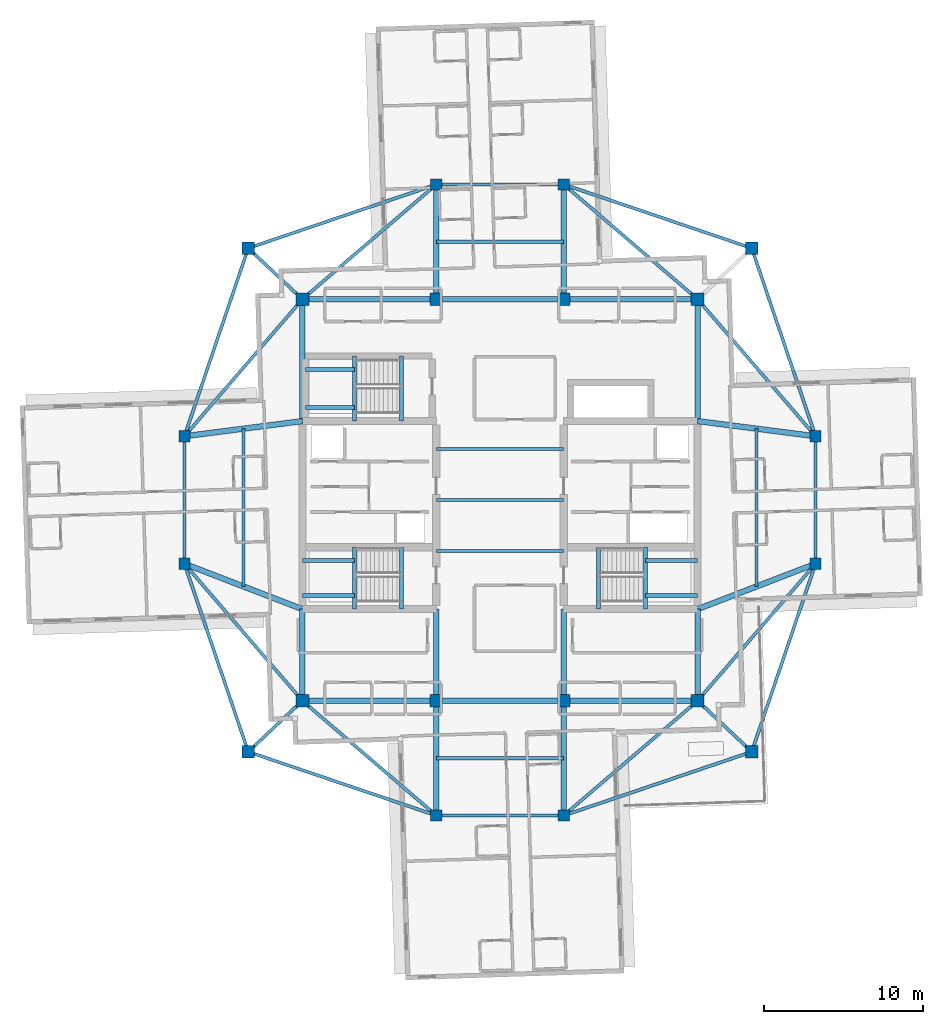
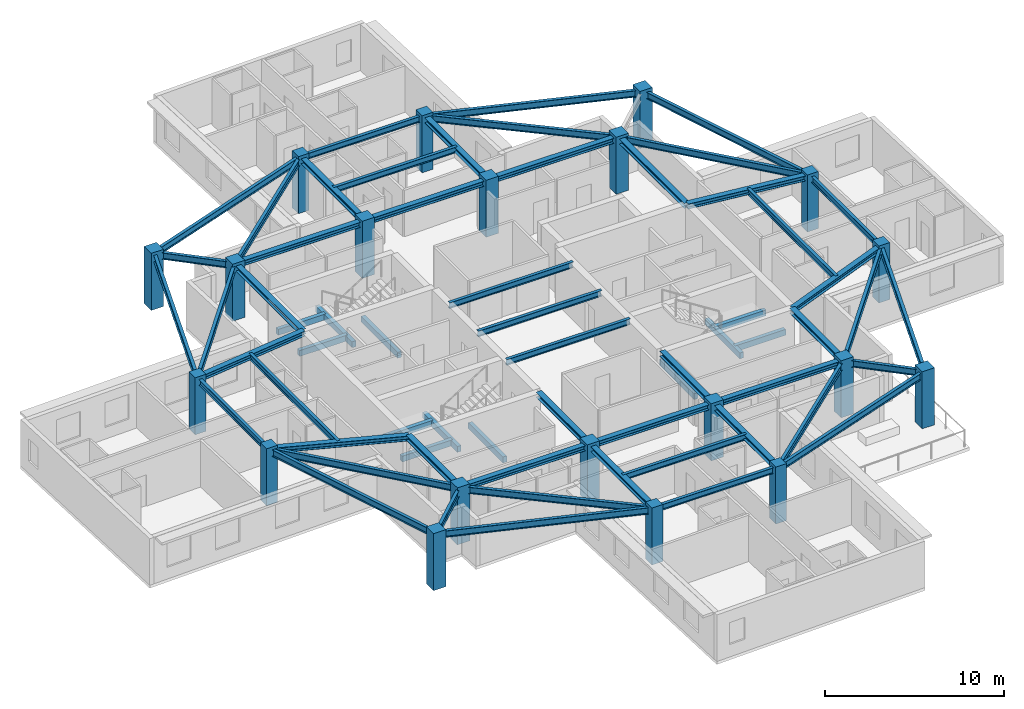
# One storey, part 1 of 13: 62 beams, 20 columns.
"""IFC4 building model written with IfcOpenShell, lengths in metres."""

from ifc_helpers import new_model, si_unit, direction, frame, origin, origin_2d, place, context, subcontext, project, spatial, rectangle, i_section, extrude, material, material_profile, profile_set, type_object, element, save


model = new_model("IFC4")

# Units and contexts
model_context = context("Model", 3, precision=1e-05, world=origin(), true_north=direction((0.0, 1.0)))
body_context = subcontext(model_context, "Body", "Model", "MODEL_VIEW")
ifc_project = project(units=[si_unit("LENGTHUNIT", "METRE"), si_unit("AREAUNIT", "SQUARE_METRE"), si_unit("VOLUMEUNIT", "CUBIC_METRE"), si_unit("PLANEANGLEUNIT", "RADIAN"), si_unit("MASSUNIT", "GRAM", prefix="KILO")], contexts=[model_context])

# Site, building, storey
site_placement = place(None, origin())
site = spatial("IfcSite", under=ifc_project, at=site_placement, CompositionType="ELEMENT")
building_placement = place(site_placement, origin())
building = spatial("IfcBuilding", under=site, at=building_placement, Name="Qingluan Cross Belvedere", CompositionType="ELEMENT")
storey_placement = place(building_placement, frame((0.0, 0.0, 273.300048828125)))
storey = spatial("IfcBuildingStorey", under=building, at=storey_placement, Name="L68", CompositionType="ELEMENT", Elevation=273.300048828125)

# Columns
ifc_material_1 = material(Name="Concrete C50", Category="concrete")
ifc_material_profile_1 = material_profile(ifc_material_1, rectangle(XDim=0.699951171875, YDim=0.699951171875, at=origin_2d()), Name="RC700x700")
ifc_profile_set_1 = profile_set([ifc_material_profile_1], Name="Concrete C50")
column_type_1 = type_object("IfcColumnType", Name="Column_RC700x700", PredefinedType="COLUMN", material=ifc_profile_set_1)
for number, where, z_axis, x_axis, name in (
    (1, (19.800048828125, -4.0, 0.0), (0.0, 0.0, 1.0), (1.0, 0.0, 0.0), "Arm column L68-EIA"),
    (2, (19.800048828125, 4.0, 0.0), (0.0, 0.0, 1.0), (1.0, 0.0, 0.0), "Arm column L68-EIB"),
    (3, (-19.800048828125, -4.0, 0.0), (0.0, 0.0, 1.0), (1.0, 0.0, 0.0), "Arm column L68-WIA"),
    (4, (-19.800048828125, 4.0, 0.0), (0.0, 0.0, 1.0), (1.0, 0.0, 0.0), "Arm column L68-WIB"),
    (5, (-4.0, -19.800048828125, 0.0), (0.0, 0.0, 1.0), (1.0, 0.0, 0.0), "Arm column L68-SIA"),
    (6, (4.0, -19.800048828125, 0.0), (0.0, 0.0, 1.0), (1.0, 0.0, 0.0), "Arm column L68-SIB"),
    (7, (-4.0, 19.800048828125, 0.0), (0.0, 0.0, 1.0), (1.0, 0.0, 0.0), "Arm column L68-NIA"),
    (8, (4.0, 19.800048828125, 0.0), (0.0, 0.0, 1.0), (1.0, 0.0, 0.0), "Arm column L68-NIB"),
):
    element("IfcColumn", number, at=place(storey_placement, frame(where, z_axis=z_axis, x_axis=x_axis)), inside=storey, type_object=column_type_1, Name=name, PredefinedType="COLUMN", context=body_context, shape_type="SweptSolid", body=[
        extrude(rectangle(XDim=0.699951171875, YDim=0.699951171875, at=origin_2d()), origin(), (0.0, 0.0, 1.0), 3.89990234375),
    ])
ifc_material_2 = material(Name="Concrete C50", Category="concrete")
ifc_material_profile_2 = material_profile(ifc_material_2, rectangle(XDim=0.800048828125, YDim=0.800048828125, at=origin_2d()), Name="RC800x800")
ifc_profile_set_2 = profile_set([ifc_material_profile_2], Name="Concrete C50")
column_type_2 = type_object("IfcColumnType", Name="Column_RC800x800", PredefinedType="COLUMN", material=ifc_profile_set_2)
for number, where, z_axis, x_axis, name in (
    (9, (15.800048828125, 15.800048828125, 0.0), (0.0, 0.0, 1.0), (1.0, 0.0, 0.0), "Corner column L68-RNE"),
    (10, (-15.800048828125, 15.800048828125, 0.0), (0.0, 0.0, 1.0), (1.0, 0.0, 0.0), "Corner column L68-RNW"),
    (11, (-15.800048828125, -15.800048828125, 0.0), (0.0, 0.0, 1.0), (1.0, 0.0, 0.0), "Corner column L68-RSW"),
    (12, (15.800048828125, -15.800048828125, 0.0), (0.0, 0.0, 1.0), (1.0, 0.0, 0.0), "Corner column L68-RSE"),
    (13, (-12.39990234375, -12.60009765625, 0.0), (0.0, 0.0, 1.0), (1.0, 0.0, 0.0), "Hub column L68-HC1"),
    (14, (12.39990234375, -12.60009765625, 0.0), (0.0, 0.0, 1.0), (1.0, 0.0, 0.0), "Hub column L68-HC2"),
    (15, (12.39990234375, 12.60009765625, 0.0), (0.0, 0.0, 1.0), (1.0, 0.0, 0.0), "Hub column L68-HC3"),
    (16, (-12.39990234375, 12.60009765625, 0.0), (0.0, 0.0, 1.0), (1.0, 0.0, 0.0), "Hub column L68-HC4"),
    (17, (-4.0, -12.60009765625, 0.0), (0.0, 0.0, 1.0), (1.0, 0.0, 0.0), "Hub column L68-HC5"),
    (18, (4.0, -12.60009765625, 0.0), (0.0, 0.0, 1.0), (1.0, 0.0, 0.0), "Hub column L68-HC6"),
    (19, (4.0, 12.60009765625, 0.0), (0.0, 0.0, 1.0), (1.0, 0.0, 0.0), "Hub column L68-HC7"),
    (20, (-4.0, 12.60009765625, 0.0), (0.0, 0.0, 1.0), (1.0, 0.0, 0.0), "Hub column L68-HC8"),
):
    element("IfcColumn", number, at=place(storey_placement, frame(where, z_axis=z_axis, x_axis=x_axis)), inside=storey, type_object=column_type_2, Name=name, PredefinedType="COLUMN", context=body_context, shape_type="SweptSolid", body=[
        extrude(rectangle(XDim=0.800048828125, YDim=0.800048828125, at=origin_2d()), origin(), (0.0, 0.0, 1.0), 3.89990234375),
    ])

# Beams
ifc_material_3 = material(Name="Concrete C45", Category="concrete")
ifc_material_profile_3 = material_profile(ifc_material_3, rectangle(XDim=0.25, YDim=0.39990234375, at=origin_2d()), Name="RC250x400")
ifc_profile_set_3 = profile_set([ifc_material_profile_3], Name="Concrete C45")
beam_type_1 = type_object("IfcBeamType", Name="RC_Lintel_RC250x400", PredefinedType="LINTEL", material=ifc_profile_set_3)
for number, where, z_axis, x_axis, name in (
    (21, (-6.179931640625, -6.85009765625, -0.199951171875), (0.0, 1.0, 0.0), (-1.0, 0.0, 0.0), "Stair ST1 landing beam L68"),
    (22, (6.179931640625, -6.85009765625, -0.199951171875), (0.0, 1.0, 0.0), (-1.0, 0.0, 0.0), "Stair ST2 landing beam L68"),
):
    element("IfcBeam", number, at=place(storey_placement, frame(where, z_axis=z_axis, x_axis=x_axis)), inside=storey, type_object=beam_type_1, Name=name, PredefinedType="LINTEL", context=body_context, shape_type="SweptSolid", body=[
        extrude(rectangle(XDim=0.25, YDim=0.39990234375, at=origin_2d()), origin(), (0.0, 0.0, 1.0), 3.89013671875),
    ])
beam_1_placement = place(storey_placement, frame((-6.179931640625, 4.949951171875, -0.199951171875), z_axis=(0.0, 1.0, 0.0), x_axis=(-1.0, 0.0, 0.0)))
element("IfcBeam", 23, at=beam_1_placement, inside=storey, type_object=beam_type_1, Name="Stair ST3 landing beam L68", PredefinedType="LINTEL", context=body_context, shape_type="SweptSolid", body=[
    extrude(rectangle(XDim=0.25, YDim=0.39990234375, at=origin_2d()), origin(), (0.0, 0.0, 1.0), 4.090087890625),
])
beam_2_placement = place(storey_placement, frame((-9.1298828125, -6.85009765625, 1.550048828125), z_axis=(0.0, 1.0, 0.0), x_axis=(-1.0, 0.0, 0.0)))
element("IfcBeam", 24, at=beam_2_placement, inside=storey, type_object=beam_type_1, Name="Stair ST1 beam A L68", PredefinedType="LINTEL", context=body_context, shape_type="SweptSolid", body=[
    extrude(rectangle(XDim=0.25, YDim=0.39990234375, at=origin_2d()), origin(), (0.0, 0.0, 1.0), 3.89013671875),
])
for number, where, z_axis, x_axis, name in (
    (25, (-12.39990234375, -6.0, 1.550048828125), (1.0, 0.0, 0.0), (0.0, 1.0, 0.0), "Stair ST1 beam B L68"),
    (26, (-12.39990234375, -3.81005859375, 1.550048828125), (1.0, 0.0, 0.0), (0.0, 1.0, 0.0), "Stair ST1 beam C L68"),
):
    element("IfcBeam", number, at=place(storey_placement, frame(where, z_axis=z_axis, x_axis=x_axis)), inside=storey, type_object=beam_type_1, Name=name, PredefinedType="LINTEL", context=body_context, shape_type="SweptSolid", body=[
        extrude(rectangle(XDim=0.25, YDim=0.39990234375, at=origin_2d()), origin(), (0.0, 0.0, 1.0), 3.27001953125),
    ])
beam_3_placement = place(storey_placement, frame((9.1298828125, -6.85009765625, 1.550048828125), z_axis=(0.0, 1.0, 0.0), x_axis=(-1.0, 0.0, 0.0)))
element("IfcBeam", 27, at=beam_3_placement, inside=storey, type_object=beam_type_1, Name="Stair ST2 beam A L68", PredefinedType="LINTEL", context=body_context, shape_type="SweptSolid", body=[
    extrude(rectangle(XDim=0.25, YDim=0.39990234375, at=origin_2d()), origin(), (0.0, 0.0, 1.0), 3.89013671875),
])
for number, where, z_axis, x_axis, name in (
    (28, (12.39990234375, -6.0, 1.550048828125), (-1.0, 0.0, 0.0), (0.0, -1.0, 0.0), "Stair ST2 beam B L68"),
    (29, (12.39990234375, -3.81005859375, 1.550048828125), (-1.0, 0.0, 0.0), (0.0, -1.0, 0.0), "Stair ST2 beam C L68"),
):
    element("IfcBeam", number, at=place(storey_placement, frame(where, z_axis=z_axis, x_axis=x_axis)), inside=storey, type_object=beam_type_1, Name=name, PredefinedType="LINTEL", context=body_context, shape_type="SweptSolid", body=[
        extrude(rectangle(XDim=0.25, YDim=0.39990234375, at=origin_2d()), origin(), (0.0, 0.0, 1.0), 3.27001953125),
    ])
beam_4_placement = place(storey_placement, frame((-9.1298828125, 4.949951171875, 1.550048828125), z_axis=(0.0, 1.0, 0.0), x_axis=(-1.0, 0.0, 0.0)))
element("IfcBeam", 30, at=beam_4_placement, inside=storey, type_object=beam_type_1, Name="Stair ST3 beam A L68", PredefinedType="LINTEL", context=body_context, shape_type="SweptSolid", body=[
    extrude(rectangle(XDim=0.25, YDim=0.39990234375, at=origin_2d()), origin(), (0.0, 0.0, 1.0), 4.090087890625),
])
for number, where, z_axis, x_axis, name in (
    (31, (-12.219970703125, 5.800048828125, 1.550048828125), (1.0, 0.0, 0.0), (0.0, 1.0, 0.0), "Stair ST3 beam B L68"),
    (32, (-12.219970703125, 8.18994140625, 1.550048828125), (1.0, 0.0, 0.0), (0.0, 1.0, 0.0), "Stair ST3 beam C L68"),
):
    element("IfcBeam", number, at=place(storey_placement, frame(where, z_axis=z_axis, x_axis=x_axis)), inside=storey, type_object=beam_type_1, Name=name, PredefinedType="LINTEL", context=body_context, shape_type="SweptSolid", body=[
        extrude(rectangle(XDim=0.25, YDim=0.39990234375, at=origin_2d()), origin(), (0.0, 0.0, 1.0), 3.090087890625),
    ])
ifc_material_4 = material(Name="Steel Q420GJB", Category="steel")
ifc_material_profile_4 = material_profile(ifc_material_4, i_section(OverallWidth=0.199951171875, OverallDepth=0.39990234375, WebThickness=0.008056640625, FlangeThickness=0.012939453125, FilletRadius=0.012939453125, at=origin_2d()), Name="HN400x200x8x13")
ifc_profile_set_4 = profile_set([ifc_material_profile_4], Name="Steel Q420GJB")
beam_type_2 = type_object("IfcBeamType", Name="Steel_Beam_HN400x200x8x13", PredefinedType="JOIST", material=ifc_profile_set_4)
for number, where, z_axis, x_axis, name in (
    (33, (-4.0, -3.199951171875, 3.5), (1.0, 0.0, 0.0), (0.0, 1.0, 0.0), "Hall beam L68-CH1"),
    (34, (-4.0, 0.0, 3.5), (1.0, 0.0, 0.0), (0.0, 1.0, 0.0), "Hall beam L68-CH2"),
    (35, (-4.0, 3.199951171875, 3.5), (1.0, 0.0, 0.0), (0.0, 1.0, 0.0), "Hall beam L68-CH3"),
    (36, (19.800048828125, -4.0, 3.5), (0.0, 1.0, 0.0), (-1.0, 0.0, 0.0), "Arm E tie L68"),
):
    element("IfcBeam", number, at=place(storey_placement, frame(where, z_axis=z_axis, x_axis=x_axis)), inside=storey, type_object=beam_type_2, Name=name, PredefinedType="JOIST", context=body_context, shape_type="SweptSolid", body=[
        extrude(i_section(OverallWidth=0.199951171875, OverallDepth=0.39990234375, WebThickness=0.008056640625, FlangeThickness=0.012939453125, FilletRadius=0.012939453125, at=origin_2d()), origin(), (0.0, 0.0, 1.0), 8.0),
    ])
beam_5_placement = place(storey_placement, frame((16.10009765625, -5.425048828125, 3.5), z_axis=(0.0, 1.0, 0.0), x_axis=(-1.0, 0.0, 0.0)))
element("IfcBeam", 37, at=beam_5_placement, inside=storey, type_object=beam_type_2, Name="Arm E beam L68", PredefinedType="JOIST", context=body_context, shape_type="SweptSolid", body=[
    extrude(i_section(OverallWidth=0.199951171875, OverallDepth=0.39990234375, WebThickness=0.008056640625, FlangeThickness=0.012939453125, FilletRadius=0.012939453125, at=origin_2d()), origin(), (0.0, 0.0, 1.0), 9.900146484375),
])
beam_6_placement = place(storey_placement, frame((-19.800048828125, -4.0, 3.5), z_axis=(0.0, 1.0, 0.0), x_axis=(-1.0, 0.0, 0.0)))
element("IfcBeam", 38, at=beam_6_placement, inside=storey, type_object=beam_type_2, Name="Arm W tie L68", PredefinedType="JOIST", context=body_context, shape_type="SweptSolid", body=[
    extrude(i_section(OverallWidth=0.199951171875, OverallDepth=0.39990234375, WebThickness=0.008056640625, FlangeThickness=0.012939453125, FilletRadius=0.012939453125, at=origin_2d()), origin(), (0.0, 0.0, 1.0), 8.0),
])
beam_7_placement = place(storey_placement, frame((-16.10009765625, -5.425048828125, 3.5), z_axis=(0.0, 1.0, 0.0), x_axis=(-1.0, 0.0, 0.0)))
element("IfcBeam", 39, at=beam_7_placement, inside=storey, type_object=beam_type_2, Name="Arm W beam L68", PredefinedType="JOIST", context=body_context, shape_type="SweptSolid", body=[
    extrude(i_section(OverallWidth=0.199951171875, OverallDepth=0.39990234375, WebThickness=0.008056640625, FlangeThickness=0.012939453125, FilletRadius=0.012939453125, at=origin_2d()), origin(), (0.0, 0.0, 1.0), 9.900146484375),
])
for number, where, z_axis, x_axis, name in (
    (40, (-4.0, 19.800048828125, 3.5), (1.0, 0.0, 0.0), (0.0, 1.0, 0.0), "Arm N tie L68"),
    (41, (-4.0, 16.199951171875, 3.5), (1.0, 0.0, 0.0), (0.0, 1.0, 0.0), "Arm N beam L68"),
    (42, (-4.0, -19.800048828125, 3.5), (1.0, 0.0, 0.0), (0.0, 1.0, 0.0), "Arm S tie L68"),
    (43, (-4.0, -16.199951171875, 3.5), (1.0, 0.0, 0.0), (0.0, 1.0, 0.0), "Arm S beam L68"),
):
    element("IfcBeam", number, at=place(storey_placement, frame(where, z_axis=z_axis, x_axis=x_axis)), inside=storey, type_object=beam_type_2, Name=name, PredefinedType="JOIST", context=body_context, shape_type="SweptSolid", body=[
        extrude(i_section(OverallWidth=0.199951171875, OverallDepth=0.39990234375, WebThickness=0.008056640625, FlangeThickness=0.012939453125, FilletRadius=0.012939453125, at=origin_2d()), origin(), (0.0, 0.0, 1.0), 8.0),
    ])
ifc_material_5 = material(Name="Steel Q420GJB", Category="steel")
ifc_material_profile_5 = material_profile(ifc_material_5, i_section(OverallWidth=0.199951171875, OverallDepth=0.449951171875, WebThickness=0.009033203125, FlangeThickness=0.013916015625, FilletRadius=0.01611328125, at=origin_2d()), Name="HN450x200x9x14")
ifc_profile_set_5 = profile_set([ifc_material_profile_5], Name="Steel Q420GJB")
beam_type_3 = type_object("IfcBeamType", Name="Steel_Beam_HN450x200x9x14", PredefinedType="JOIST", material=ifc_profile_set_5)
for number, where, z_axis, x_axis, name in (
    (44, (15.800048828125, 15.800048828125, 3.474853515625), (-0.947066283324, 0.321038089628, 0.0), (-0.321038089628, -0.947066283324, 0.0), "Corner beam 2 L68-RNE"),
    (45, (15.800048828125, 15.800048828125, 3.474853515625), (0.321038089628, -0.947066283324, 0.0), (0.947066283324, 0.321038089628, 0.0), "Corner beam 3 L68-RNE"),
):
    element("IfcBeam", number, at=place(storey_placement, frame(where, z_axis=z_axis, x_axis=x_axis)), inside=storey, type_object=beam_type_3, Name=name, PredefinedType="JOIST", context=body_context, shape_type="SweptSolid", body=[
        extrude(i_section(OverallWidth=0.199951171875, OverallDepth=0.449951171875, WebThickness=0.009033203125, FlangeThickness=0.013916015625, FilletRadius=0.01611328125, at=origin_2d()), origin(), (0.0, 0.0, 1.0), 12.45947265625),
    ])
beam_8_placement = place(storey_placement, frame((12.39990234375, 12.60009765625, 3.474853515625), z_axis=(0.652245077546, -0.75800815221, 0.0), x_axis=(0.75800815221, 0.652245077546, 0.0)))
element("IfcBeam", 46, at=beam_8_placement, inside=storey, type_object=beam_type_3, Name="Corner beam 4 L68-RNE", PredefinedType="JOIST", context=body_context, shape_type="SweptSolid", body=[
    extrude(i_section(OverallWidth=0.199951171875, OverallDepth=0.449951171875, WebThickness=0.009033203125, FlangeThickness=0.013916015625, FilletRadius=0.01611328125, at=origin_2d()), origin(), (0.0, 0.0, 1.0), 11.345703125),
])
beam_9_placement = place(storey_placement, frame((12.39990234375, 12.60009765625, 3.474853515625), z_axis=(-0.759255044656, 0.650793190779, 0.0), x_axis=(-0.650793190779, -0.759255044656, 0.0)))
element("IfcBeam", 47, at=beam_9_placement, inside=storey, type_object=beam_type_3, Name="Corner beam 5 L68-RNE", PredefinedType="JOIST", context=body_context, shape_type="SweptSolid", body=[
    extrude(i_section(OverallWidth=0.199951171875, OverallDepth=0.449951171875, WebThickness=0.009033203125, FlangeThickness=0.013916015625, FilletRadius=0.01611328125, at=origin_2d()), origin(), (0.0, 0.0, 1.0), 11.063232421875),
])
beam_10_placement = place(storey_placement, frame((-12.39990234375, 12.60009765625, 3.474853515625), z_axis=(-0.728219948308, 0.685343495546, 0.0), x_axis=(-0.685343495546, -0.728219948308, 0.0)))
element("IfcBeam", 48, at=beam_10_placement, inside=storey, type_object=beam_type_3, Name="Corner beam 1 L68-RNW", PredefinedType="JOIST", context=body_context, shape_type="SweptSolid", body=[
    extrude(i_section(OverallWidth=0.199951171875, OverallDepth=0.449951171875, WebThickness=0.009033203125, FlangeThickness=0.013916015625, FilletRadius=0.01611328125, at=origin_2d()), origin(), (0.0, 0.0, 1.0), 4.669189453125),
])
for number, where, z_axis, x_axis, name in (
    (49, (-15.800048828125, 15.800048828125, 3.474853515625), (0.947066283324, 0.321038089628, 0.0), (-0.321038089628, 0.947066283324, 0.0), "Corner beam 2 L68-RNW"),
    (50, (-15.800048828125, 15.800048828125, 3.474853515625), (-0.321038089628, -0.947066283324, 0.0), (0.947066283324, -0.321038089628, 0.0), "Corner beam 3 L68-RNW"),
):
    element("IfcBeam", number, at=place(storey_placement, frame(where, z_axis=z_axis, x_axis=x_axis)), inside=storey, type_object=beam_type_3, Name=name, PredefinedType="JOIST", context=body_context, shape_type="SweptSolid", body=[
        extrude(i_section(OverallWidth=0.199951171875, OverallDepth=0.449951171875, WebThickness=0.009033203125, FlangeThickness=0.013916015625, FilletRadius=0.01611328125, at=origin_2d()), origin(), (0.0, 0.0, 1.0), 12.45947265625),
    ])
beam_11_placement = place(storey_placement, frame((-12.39990234375, 12.60009765625, 3.474853515625), z_axis=(-0.652245077546, -0.75800815221, 0.0), x_axis=(0.75800815221, -0.652245077546, 0.0)))
element("IfcBeam", 51, at=beam_11_placement, inside=storey, type_object=beam_type_3, Name="Corner beam 4 L68-RNW", PredefinedType="JOIST", context=body_context, shape_type="SweptSolid", body=[
    extrude(i_section(OverallWidth=0.199951171875, OverallDepth=0.449951171875, WebThickness=0.009033203125, FlangeThickness=0.013916015625, FilletRadius=0.01611328125, at=origin_2d()), origin(), (0.0, 0.0, 1.0), 11.345703125),
])
beam_12_placement = place(storey_placement, frame((-12.39990234375, 12.60009765625, 3.474853515625), z_axis=(0.759255044656, 0.650793190779, 0.0), x_axis=(-0.650793190779, 0.759255044656, 0.0)))
element("IfcBeam", 52, at=beam_12_placement, inside=storey, type_object=beam_type_3, Name="Corner beam 5 L68-RNW", PredefinedType="JOIST", context=body_context, shape_type="SweptSolid", body=[
    extrude(i_section(OverallWidth=0.199951171875, OverallDepth=0.449951171875, WebThickness=0.009033203125, FlangeThickness=0.013916015625, FilletRadius=0.01611328125, at=origin_2d()), origin(), (0.0, 0.0, 1.0), 11.063232421875),
])
beam_13_placement = place(storey_placement, frame((-12.39990234375, -12.60009765625, 3.474853515625), z_axis=(-0.728219948308, -0.685343495546, 0.0), x_axis=(0.685343495546, -0.728219948308, 0.0)))
element("IfcBeam", 53, at=beam_13_placement, inside=storey, type_object=beam_type_3, Name="Corner beam 1 L68-RSW", PredefinedType="JOIST", context=body_context, shape_type="SweptSolid", body=[
    extrude(i_section(OverallWidth=0.199951171875, OverallDepth=0.449951171875, WebThickness=0.009033203125, FlangeThickness=0.013916015625, FilletRadius=0.01611328125, at=origin_2d()), origin(), (0.0, 0.0, 1.0), 4.669189453125),
])
for number, where, z_axis, x_axis, name in (
    (54, (-15.800048828125, -15.800048828125, 3.474853515625), (0.947066283324, -0.321038089628, 0.0), (0.321038089628, 0.947066283324, 0.0), "Corner beam 2 L68-RSW"),
    (55, (-15.800048828125, -15.800048828125, 3.474853515625), (-0.321038089628, 0.947066283324, 0.0), (-0.947066283324, -0.321038089628, 0.0), "Corner beam 3 L68-RSW"),
):
    element("IfcBeam", number, at=place(storey_placement, frame(where, z_axis=z_axis, x_axis=x_axis)), inside=storey, type_object=beam_type_3, Name=name, PredefinedType="JOIST", context=body_context, shape_type="SweptSolid", body=[
        extrude(i_section(OverallWidth=0.199951171875, OverallDepth=0.449951171875, WebThickness=0.009033203125, FlangeThickness=0.013916015625, FilletRadius=0.01611328125, at=origin_2d()), origin(), (0.0, 0.0, 1.0), 12.45947265625),
    ])
beam_14_placement = place(storey_placement, frame((-12.39990234375, -12.60009765625, 3.474853515625), z_axis=(-0.652245077546, 0.75800815221, 0.0), x_axis=(-0.75800815221, -0.652245077546, 0.0)))
element("IfcBeam", 56, at=beam_14_placement, inside=storey, type_object=beam_type_3, Name="Corner beam 4 L68-RSW", PredefinedType="JOIST", context=body_context, shape_type="SweptSolid", body=[
    extrude(i_section(OverallWidth=0.199951171875, OverallDepth=0.449951171875, WebThickness=0.009033203125, FlangeThickness=0.013916015625, FilletRadius=0.01611328125, at=origin_2d()), origin(), (0.0, 0.0, 1.0), 11.345703125),
])
beam_15_placement = place(storey_placement, frame((-12.39990234375, -12.60009765625, 3.474853515625), z_axis=(0.759255044656, -0.650793190779, 0.0), x_axis=(0.650793190779, 0.759255044656, 0.0)))
element("IfcBeam", 57, at=beam_15_placement, inside=storey, type_object=beam_type_3, Name="Corner beam 5 L68-RSW", PredefinedType="JOIST", context=body_context, shape_type="SweptSolid", body=[
    extrude(i_section(OverallWidth=0.199951171875, OverallDepth=0.449951171875, WebThickness=0.009033203125, FlangeThickness=0.013916015625, FilletRadius=0.01611328125, at=origin_2d()), origin(), (0.0, 0.0, 1.0), 11.063232421875),
])
beam_16_placement = place(storey_placement, frame((12.39990234375, -12.60009765625, 3.454833984375), z_axis=(0.728219948308, -0.685343495546, 0.0), x_axis=(0.685343495546, 0.728219948308, 0.0)))
element("IfcBeam", 58, at=beam_16_placement, inside=storey, type_object=beam_type_3, Name="Corner beam 1 L68-RSE", PredefinedType="JOIST", context=body_context, shape_type="SweptSolid", body=[
    extrude(i_section(OverallWidth=0.199951171875, OverallDepth=0.449951171875, WebThickness=0.009033203125, FlangeThickness=0.013916015625, FilletRadius=0.01611328125, at=origin_2d()), origin(), (0.0, 0.0, 1.0), 4.669189453125),
])
for number, where, z_axis, x_axis, name in (
    (59, (15.800048828125, -15.800048828125, 3.454833984375), (-0.947066283324, -0.321038089628, 0.0), (0.321038089628, -0.947066283324, 0.0), "Corner beam 2 L68-RSE"),
    (60, (15.800048828125, -15.800048828125, 3.454833984375), (0.321038089628, 0.947066283324, 0.0), (-0.947066283324, 0.321038089628, 0.0), "Corner beam 3 L68-RSE"),
):
    element("IfcBeam", number, at=place(storey_placement, frame(where, z_axis=z_axis, x_axis=x_axis)), inside=storey, type_object=beam_type_3, Name=name, PredefinedType="JOIST", context=body_context, shape_type="SweptSolid", body=[
        extrude(i_section(OverallWidth=0.199951171875, OverallDepth=0.449951171875, WebThickness=0.009033203125, FlangeThickness=0.013916015625, FilletRadius=0.01611328125, at=origin_2d()), origin(), (0.0, 0.0, 1.0), 12.45947265625),
    ])
beam_17_placement = place(storey_placement, frame((12.39990234375, -12.60009765625, 3.454833984375), z_axis=(0.652245077546, 0.75800815221, 0.0), x_axis=(-0.75800815221, 0.652245077546, 0.0)))
element("IfcBeam", 61, at=beam_17_placement, inside=storey, type_object=beam_type_3, Name="Corner beam 4 L68-RSE", PredefinedType="JOIST", context=body_context, shape_type="SweptSolid", body=[
    extrude(i_section(OverallWidth=0.199951171875, OverallDepth=0.449951171875, WebThickness=0.009033203125, FlangeThickness=0.013916015625, FilletRadius=0.01611328125, at=origin_2d()), origin(), (0.0, 0.0, 1.0), 11.345703125),
])
beam_18_placement = place(storey_placement, frame((12.39990234375, -12.60009765625, 3.454833984375), z_axis=(-0.759255044656, -0.650793190779, 0.0), x_axis=(0.650793190779, -0.759255044656, 0.0)))
element("IfcBeam", 62, at=beam_18_placement, inside=storey, type_object=beam_type_3, Name="Corner beam 5 L68-RSE", PredefinedType="JOIST", context=body_context, shape_type="SweptSolid", body=[
    extrude(i_section(OverallWidth=0.199951171875, OverallDepth=0.449951171875, WebThickness=0.009033203125, FlangeThickness=0.013916015625, FilletRadius=0.01611328125, at=origin_2d()), origin(), (0.0, 0.0, 1.0), 11.063232421875),
])
ifc_material_6 = material(Name="Steel Q420GJB", Category="steel")
ifc_material_profile_6 = material_profile(ifc_material_6, i_section(OverallWidth=0.35009765625, OverallDepth=0.35009765625, WebThickness=0.011962890625, FlangeThickness=0.01904296875, FilletRadius=0.02001953125, at=origin_2d()), Name="HW350x350x12x19")
ifc_profile_set_6 = profile_set([ifc_material_profile_6], Name="Steel Q420GJB")
beam_type_4 = type_object("IfcBeamType", Name="Steel_Girder_HW350x350x12x19", PredefinedType="USERDEFINED", material=ifc_profile_set_6)
beam_19_placement = place(storey_placement, frame((-12.39990234375, -12.60009765625, 3.52490234375), z_axis=(1.0, 0.0, 0.0), x_axis=(0.0, 1.0, 0.0)))
element("IfcBeam", 63, at=beam_19_placement, inside=storey, type_object=beam_type_4, Name="Hub girder L68-HG-S1", ObjectType="GIRDER", PredefinedType="USERDEFINED", context=body_context, shape_type="SweptSolid", body=[
    extrude(i_section(OverallWidth=0.35009765625, OverallDepth=0.35009765625, WebThickness=0.011962890625, FlangeThickness=0.01904296875, FilletRadius=0.02001953125, at=origin_2d()), origin(), (0.0, 0.0, 1.0), 8.39990234375),
])
beam_20_placement = place(storey_placement, frame((-4.0, -12.60009765625, 3.52490234375), z_axis=(1.0, 0.0, 0.0), x_axis=(0.0, 1.0, 0.0)))
element("IfcBeam", 64, at=beam_20_placement, inside=storey, type_object=beam_type_4, Name="Hub girder L68-HG-S2", ObjectType="GIRDER", PredefinedType="USERDEFINED", context=body_context, shape_type="SweptSolid", body=[
    extrude(i_section(OverallWidth=0.35009765625, OverallDepth=0.35009765625, WebThickness=0.011962890625, FlangeThickness=0.01904296875, FilletRadius=0.02001953125, at=origin_2d()), origin(), (0.0, 0.0, 1.0), 8.0),
])
for number, where, z_axis, x_axis, name in (
    (65, (4.0, -12.60009765625, 3.52490234375), (1.0, 0.0, 0.0), (0.0, 1.0, 0.0), "Hub girder L68-HG-S3"),
    (66, (-12.39990234375, 12.60009765625, 3.52490234375), (1.0, 0.0, 0.0), (0.0, 1.0, 0.0), "Hub girder L68-HG-N1"),
):
    element("IfcBeam", number, at=place(storey_placement, frame(where, z_axis=z_axis, x_axis=x_axis)), inside=storey, type_object=beam_type_4, Name=name, ObjectType="GIRDER", PredefinedType="USERDEFINED", context=body_context, shape_type="SweptSolid", body=[
        extrude(i_section(OverallWidth=0.35009765625, OverallDepth=0.35009765625, WebThickness=0.011962890625, FlangeThickness=0.01904296875, FilletRadius=0.02001953125, at=origin_2d()), origin(), (0.0, 0.0, 1.0), 8.39990234375),
    ])
beam_21_placement = place(storey_placement, frame((-4.0, 12.60009765625, 3.52490234375), z_axis=(1.0, 0.0, 0.0), x_axis=(0.0, 1.0, 0.0)))
element("IfcBeam", 67, at=beam_21_placement, inside=storey, type_object=beam_type_4, Name="Hub girder L68-HG-N2", ObjectType="GIRDER", PredefinedType="USERDEFINED", context=body_context, shape_type="SweptSolid", body=[
    extrude(i_section(OverallWidth=0.35009765625, OverallDepth=0.35009765625, WebThickness=0.011962890625, FlangeThickness=0.01904296875, FilletRadius=0.02001953125, at=origin_2d()), origin(), (0.0, 0.0, 1.0), 8.0),
])
beam_22_placement = place(storey_placement, frame((4.0, 12.60009765625, 3.52490234375), z_axis=(1.0, 0.0, 0.0), x_axis=(0.0, 1.0, 0.0)))
element("IfcBeam", 68, at=beam_22_placement, inside=storey, type_object=beam_type_4, Name="Hub girder L68-HG-N3", ObjectType="GIRDER", PredefinedType="USERDEFINED", context=body_context, shape_type="SweptSolid", body=[
    extrude(i_section(OverallWidth=0.35009765625, OverallDepth=0.35009765625, WebThickness=0.011962890625, FlangeThickness=0.01904296875, FilletRadius=0.02001953125, at=origin_2d()), origin(), (0.0, 0.0, 1.0), 8.39990234375),
])
beam_23_placement = place(storey_placement, frame((-12.39990234375, -12.60009765625, 3.52490234375), z_axis=(0.0, 1.0, 0.0), x_axis=(-1.0, 0.0, 0.0)))
element("IfcBeam", 69, at=beam_23_placement, inside=storey, type_object=beam_type_4, Name="Hub girder L68-HG-W1", ObjectType="GIRDER", PredefinedType="USERDEFINED", context=body_context, shape_type="SweptSolid", body=[
    extrude(i_section(OverallWidth=0.35009765625, OverallDepth=0.35009765625, WebThickness=0.011962890625, FlangeThickness=0.01904296875, FilletRadius=0.02001953125, at=origin_2d()), origin(), (0.0, 0.0, 1.0), 5.75),
])
beam_24_placement = place(storey_placement, frame((-12.39990234375, 4.949951171875, 3.52490234375), z_axis=(0.0, 1.0, 0.0), x_axis=(-1.0, 0.0, 0.0)))
element("IfcBeam", 70, at=beam_24_placement, inside=storey, type_object=beam_type_4, Name="Hub girder L68-HG-W2", ObjectType="GIRDER", PredefinedType="USERDEFINED", context=body_context, shape_type="SweptSolid", body=[
    extrude(i_section(OverallWidth=0.35009765625, OverallDepth=0.35009765625, WebThickness=0.011962890625, FlangeThickness=0.01904296875, FilletRadius=0.02001953125, at=origin_2d()), origin(), (0.0, 0.0, 1.0), 7.650146484375),
])
beam_25_placement = place(storey_placement, frame((12.39990234375, -12.60009765625, 3.52490234375), z_axis=(0.0, 1.0, 0.0), x_axis=(-1.0, 0.0, 0.0)))
element("IfcBeam", 71, at=beam_25_placement, inside=storey, type_object=beam_type_4, Name="Hub girder L68-HG-E1", ObjectType="GIRDER", PredefinedType="USERDEFINED", context=body_context, shape_type="SweptSolid", body=[
    extrude(i_section(OverallWidth=0.35009765625, OverallDepth=0.35009765625, WebThickness=0.011962890625, FlangeThickness=0.01904296875, FilletRadius=0.02001953125, at=origin_2d()), origin(), (0.0, 0.0, 1.0), 5.75),
])
beam_26_placement = place(storey_placement, frame((12.39990234375, 4.949951171875, 3.52490234375), z_axis=(0.0, 1.0, 0.0), x_axis=(-1.0, 0.0, 0.0)))
element("IfcBeam", 72, at=beam_26_placement, inside=storey, type_object=beam_type_4, Name="Hub girder L68-HG-E2", ObjectType="GIRDER", PredefinedType="USERDEFINED", context=body_context, shape_type="SweptSolid", body=[
    extrude(i_section(OverallWidth=0.35009765625, OverallDepth=0.35009765625, WebThickness=0.011962890625, FlangeThickness=0.01904296875, FilletRadius=0.02001953125, at=origin_2d()), origin(), (0.0, 0.0, 1.0), 7.650146484375),
])
for number, where, z_axis, x_axis, name in (
    (73, (-4.0, -12.60009765625, 3.52490234375), (0.0, 1.0, 0.0), (-1.0, 0.0, 0.0), "Hub girder L68-HG-CW"),
    (74, (4.0, -12.60009765625, 3.52490234375), (0.0, 1.0, 0.0), (-1.0, 0.0, 0.0), "Hub girder L68-HG-CE"),
):
    element("IfcBeam", number, at=place(storey_placement, frame(where, z_axis=z_axis, x_axis=x_axis)), inside=storey, type_object=beam_type_4, Name=name, ObjectType="GIRDER", PredefinedType="USERDEFINED", context=body_context, shape_type="SweptSolid", body=[
        extrude(i_section(OverallWidth=0.35009765625, OverallDepth=0.35009765625, WebThickness=0.011962890625, FlangeThickness=0.01904296875, FilletRadius=0.02001953125, at=origin_2d()), origin(), (0.0, 0.0, 1.0), 5.75),
    ])
beam_27_placement = place(storey_placement, frame((12.39990234375, -6.85009765625, 3.52490234375), z_axis=(0.933181258889, 0.359406090735, 0.0), x_axis=(-0.359406090735, 0.933181258889, 0.0)))
element("IfcBeam", 75, at=beam_27_placement, inside=storey, type_object=beam_type_4, Name="Arm E radial girder A L68", ObjectType="GIRDER", PredefinedType="USERDEFINED", context=body_context, shape_type="SweptSolid", body=[
    extrude(i_section(OverallWidth=0.35009765625, OverallDepth=0.35009765625, WebThickness=0.011962890625, FlangeThickness=0.01904296875, FilletRadius=0.02001953125, at=origin_2d()), origin(), (0.0, 0.0, 1.0), 7.929931640625),
])
beam_28_placement = place(storey_placement, frame((12.39990234375, 4.949951171875, 3.52490234375), z_axis=(0.991861120628, -0.12732445714, 0.0), x_axis=(0.12732445714, 0.991861120628, 0.0)))
element("IfcBeam", 76, at=beam_28_placement, inside=storey, type_object=beam_type_4, Name="Arm E radial girder B L68", ObjectType="GIRDER", PredefinedType="USERDEFINED", context=body_context, shape_type="SweptSolid", body=[
    extrude(i_section(OverallWidth=0.35009765625, OverallDepth=0.35009765625, WebThickness=0.011962890625, FlangeThickness=0.01904296875, FilletRadius=0.02001953125, at=origin_2d()), origin(), (0.0, 0.0, 1.0), 7.4609375),
])
beam_29_placement = place(storey_placement, frame((-12.39990234375, -6.85009765625, 3.52490234375), z_axis=(-0.933181258889, 0.359406090735, 0.0), x_axis=(-0.359406090735, -0.933181258889, 0.0)))
element("IfcBeam", 77, at=beam_29_placement, inside=storey, type_object=beam_type_4, Name="Arm W radial girder A L68", ObjectType="GIRDER", PredefinedType="USERDEFINED", context=body_context, shape_type="SweptSolid", body=[
    extrude(i_section(OverallWidth=0.35009765625, OverallDepth=0.35009765625, WebThickness=0.011962890625, FlangeThickness=0.01904296875, FilletRadius=0.02001953125, at=origin_2d()), origin(), (0.0, 0.0, 1.0), 7.929931640625),
])
beam_30_placement = place(storey_placement, frame((-12.39990234375, 4.949951171875, 3.52490234375), z_axis=(-0.991861120628, -0.12732445714, 0.0), x_axis=(0.12732445714, -0.991861120628, 0.0)))
element("IfcBeam", 78, at=beam_30_placement, inside=storey, type_object=beam_type_4, Name="Arm W radial girder B L68", ObjectType="GIRDER", PredefinedType="USERDEFINED", context=body_context, shape_type="SweptSolid", body=[
    extrude(i_section(OverallWidth=0.35009765625, OverallDepth=0.35009765625, WebThickness=0.011962890625, FlangeThickness=0.01904296875, FilletRadius=0.02001953125, at=origin_2d()), origin(), (0.0, 0.0, 1.0), 7.4609375),
])
for number, where, z_axis, x_axis, name in (
    (79, (-4.0, 12.60009765625, 3.52490234375), (0.0, 1.0, 0.0), (-1.0, 0.0, 0.0), "Arm N radial girder A L68"),
    (80, (4.0, 12.60009765625, 3.52490234375), (0.0, 1.0, 0.0), (-1.0, 0.0, 0.0), "Arm N radial girder B L68"),
    (81, (-4.0, -12.60009765625, 3.52490234375), (0.0, -1.0, 0.0), (1.0, 0.0, 0.0), "Arm S radial girder A L68"),
    (82, (4.0, -12.60009765625, 3.52490234375), (0.0, -1.0, 0.0), (1.0, 0.0, 0.0), "Arm S radial girder B L68"),
):
    element("IfcBeam", number, at=place(storey_placement, frame(where, z_axis=z_axis, x_axis=x_axis)), inside=storey, type_object=beam_type_4, Name=name, ObjectType="GIRDER", PredefinedType="USERDEFINED", context=body_context, shape_type="SweptSolid", body=[
        extrude(i_section(OverallWidth=0.35009765625, OverallDepth=0.35009765625, WebThickness=0.011962890625, FlangeThickness=0.01904296875, FilletRadius=0.02001953125, at=origin_2d()), origin(), (0.0, 0.0, 1.0), 7.199951171875),
    ])

save(model, "model.ifc")
